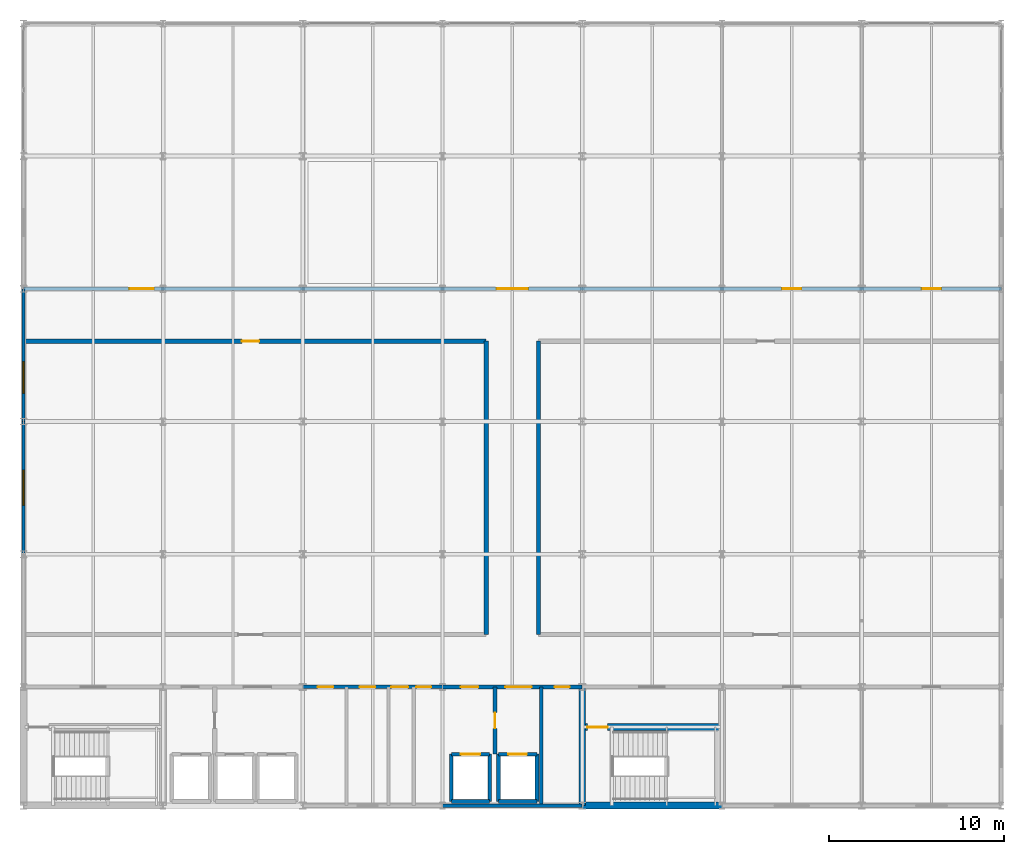
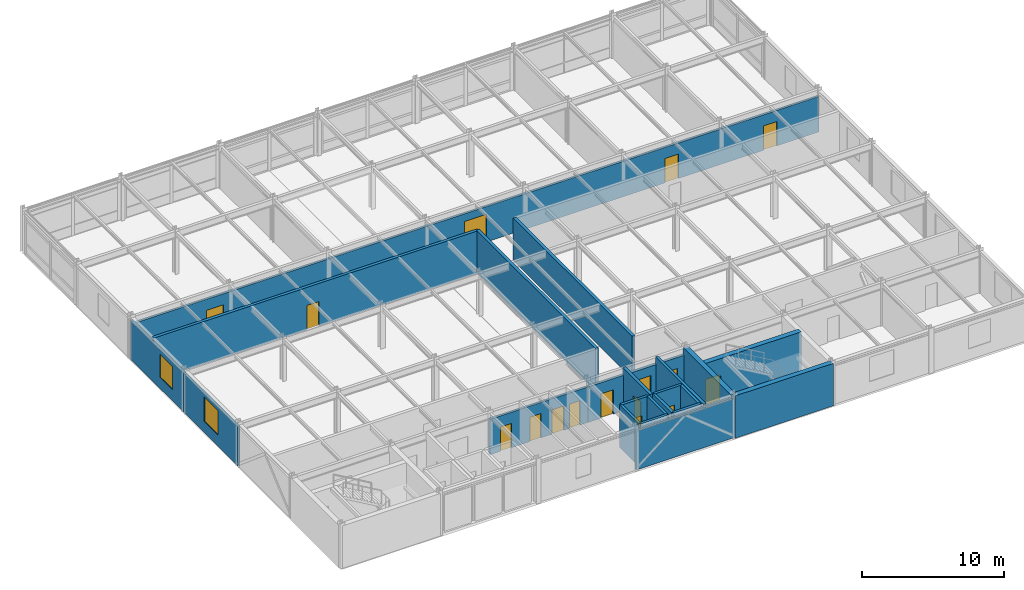
# One storey, part 12 of 14: 22 walls, 16 doors, 2 windows, 18 openings.
"""IFC4 building model written with IfcOpenShell, lengths in metres."""

import ifcopenshell
import ifcopenshell.guid

model = None  # the IFC model being written
_history = None  # IfcOwnerHistory: only IFC2X3 demands one
_inside = {}  # id of a spatial element -> (the spatial element, [elements in it])
_under = {}  # id of a project, library or spatial element -> (it, [spatial elements below it])
_declared = {}  # id of a project -> (the project, [libraries it declares])
_typed = {}  # id of a type object -> (the type object, [elements of that type])
_made_of = {}  # id of a material, layer set ... -> (it, [elements and type objects made of it])


def new_model(schema):
    """Start an empty IFC model of exactly this schema.

    Asked for "IFC4X3", IfcOpenShell would pick the latest addendum, in which some entities
    have other attributes; the version numbers below select the first issue.
    IFC2X3 requires an IfcOwnerHistory on every rooted entity: one is made here for all.
    """
    global model, _history
    if schema == "IFC4X3":
        model = ifcopenshell.file(schema_version=(4, 3, 0, 0))
    else:
        model = ifcopenshell.file(schema=schema)
    _inside.clear()
    _under.clear()
    _declared.clear()
    _typed.clear()
    _made_of.clear()
    _history = None
    if model.schema == "IFC2X3":
        org = make("IfcOrganization", Name="unknown")
        user = make(
            "IfcPersonAndOrganization",
            ThePerson=make("IfcPerson", FamilyName="unknown"),
            TheOrganization=org,
        )
        app = make(
            "IfcApplication",
            ApplicationDeveloper=org,
            Version="unknown",
            ApplicationFullName="unknown",
            ApplicationIdentifier="unknown",
        )
        _history = make(
            "IfcOwnerHistory",
            OwningUser=user,
            OwningApplication=app,
            ChangeAction="ADDED",
            CreationDate=0,
        )
    return model


def make(cls, **values):
    """One entity of the class cls with the attributes given. An attribute that is None is left unset."""
    return model.create_entity(
        cls, **{name: value for name, value in values.items() if value is not None}
    )


def rooted(cls, **values):
    """An entity with a GlobalId (a new one), such as an element, a storey or a relation."""
    return make(cls, GlobalId=ifcopenshell.guid.new(), OwnerHistory=_history, **values)


def si_unit(unit_type, name, prefix=None):
    """IfcSIUnit, for example si_unit("LENGTHUNIT", "METRE", prefix="MILLI")."""
    return make("IfcSIUnit", UnitType=unit_type, Prefix=prefix, Name=name)


def assignment(units):
    """IfcUnitAssignment: the units of a project."""
    return None if units is None else make("IfcUnitAssignment", Units=units)


def point(xyz):
    """IfcCartesianPoint."""
    return None if xyz is None else make("IfcCartesianPoint", Coordinates=xyz)


def direction(xyz):
    """IfcDirection."""
    return None if xyz is None else make("IfcDirection", DirectionRatios=xyz)


def frame(location, z_axis=None, x_axis=None):
    """IfcAxis2Placement3D, a coordinate frame: its origin and axes. An axis left out is left unset."""
    return make(
        "IfcAxis2Placement3D",
        Location=point(location),
        Axis=direction(z_axis),
        RefDirection=direction(x_axis),
    )


def frame_2d(location, x_axis=None):
    """IfcAxis2Placement2D, a coordinate frame in the plane: its origin and x axis."""
    return make(
        "IfcAxis2Placement2D", Location=point(location), RefDirection=direction(x_axis)
    )


def origin():
    """The frame at (0, 0, 0) with its axes left unset."""
    return frame((0.0, 0.0, 0.0))


def place(relative_to, where):
    """IfcLocalPlacement: puts the frame where relative to a parent placement (None: the world)."""
    return make(
        "IfcLocalPlacement", PlacementRelTo=relative_to, RelativePlacement=where
    )


def context(
    kind, dimensions, precision=None, world=None, true_north=None, identifier=None
):
    """IfcGeometricRepresentationContext, for example the 3D "Model" context."""
    return make(
        "IfcGeometricRepresentationContext",
        ContextIdentifier=identifier,
        ContextType=kind,
        CoordinateSpaceDimension=dimensions,
        Precision=precision,
        WorldCoordinateSystem=world,
        TrueNorth=true_north,
    )


def subcontext(parent, identifier, kind, view, scale=None):
    """IfcGeometricRepresentationSubContext, for example "Body" below "Model"."""
    return make(
        "IfcGeometricRepresentationSubContext",
        ContextIdentifier=identifier,
        ContextType=kind,
        ParentContext=parent,
        TargetScale=scale,
        TargetView=view,
    )


def project(units=None, contexts=None):
    """IfcProject with its units and contexts."""
    return rooted(
        "IfcProject",
        Name="project",
        RepresentationContexts=contexts,
        UnitsInContext=assignment(units),
    )


def spatial(cls, under=None, at=None, **own):
    """A site, building, storey or space (cls), placed at a placement, below another one or the project."""
    s = rooted(cls, ObjectPlacement=at, **own)
    if under is not None:
        _under.setdefault(under.id(), (under, []))[1].append(s)
    return s


def profile(cls, at=None, kind="AREA", **sizes):
    """A parametric profile (cls). Its sizes go by their IFC names, for example OverallWidth=200.0."""
    return make(cls, ProfileType=kind, Position=at, **sizes)


def rectangle(**sizes):
    """IfcRectangleProfileDef."""
    return profile("IfcRectangleProfileDef", **sizes)


def extrude(swept, where, along, depth):
    """IfcExtrudedAreaSolid: the profile swept, set in the frame where, extruded along a direction by depth."""
    return make(
        "IfcExtrudedAreaSolid",
        SweptArea=swept,
        Position=where,
        ExtrudedDirection=direction(along),
        Depth=depth,
    )


def shape(context_of_items, identifier, shape_type, items):
    """IfcShapeRepresentation: the items that make up one representation, for example the "Body"."""
    return make(
        "IfcShapeRepresentation",
        ContextOfItems=context_of_items,
        RepresentationIdentifier=identifier,
        RepresentationType=shape_type,
        Items=items,
    )


def material(Name=None, Category=None):
    """IfcMaterial."""
    return make("IfcMaterial", Name=Name, Category=Category)


def layer(
    of_material, thickness, ventilated=None, Name=None, Category=None, Priority=None
):
    """IfcMaterialLayer: one layer of a wall or slab, of a material (None: an air gap)."""
    return make(
        "IfcMaterialLayer",
        Material=of_material,
        LayerThickness=thickness,
        IsVentilated=ventilated,
        Name=Name,
        Category=Category,
        Priority=Priority,
    )


def layer_set(layers, Name=None):
    """IfcMaterialLayerSet."""
    return make("IfcMaterialLayerSet", MaterialLayers=layers, LayerSetName=Name)


def made_of(thing, what):
    """Note that an element or type object is made of a material, layer set ...; save() writes the relation."""
    if what is not None:
        _made_of.setdefault(what.id(), (what, []))[1].append(thing)
    return thing


def type_object(cls, material=None, **own):
    """A type object (cls), such as IfcWallType, which elements share."""
    return made_of(rooted(cls, **own), material)


def element(
    cls,
    number,
    at=None,
    inside=None,
    cuts=None,
    type_object=None,
    material=None,
    context=None,
    identifier="Body",
    shape_type=None,
    held_by="IfcProductDefinitionShape",
    body=None,
    shapes=None,
    **own,
):
    """One element of the class cls, such as IfcWall. Its Tag is "e" and its number.

    at: its placement. inside: the storey or other place that contains it. cuts: it is an
    opening in that element (IfcRelVoidsElement). A single representation is given by context,
    identifier, shape_type and body (its items); several are given by shapes. held_by: the class
    of the entity that holds the representations. save() writes the other relations.
    """
    e = rooted(cls, Tag="e%d" % number, ObjectPlacement=at, **own)
    if body is not None:
        shapes = [shape(context, identifier, shape_type, body)]
    if shapes is not None:
        e.Representation = make(held_by, Representations=shapes)
    if inside is not None:
        _inside.setdefault(inside.id(), (inside, []))[1].append(e)
    if cuts is not None:
        rooted(
            "IfcRelVoidsElement", RelatingBuildingElement=cuts, RelatedOpeningElement=e
        )
    if type_object is not None:
        _typed.setdefault(type_object.id(), (type_object, []))[1].append(e)
    return made_of(e, material)


def fill(opening, filler):
    """IfcRelFillsElement: the door or window that sits in an opening."""
    return rooted(
        "IfcRelFillsElement",
        RelatingOpeningElement=opening,
        RelatedBuildingElement=filler,
    )


def aggregate(whole, parts):
    """IfcRelAggregates: a whole, such as a stair, and the parts it consists of."""
    return rooted("IfcRelAggregates", RelatingObject=whole, RelatedObjects=parts)


def save(model, path):
    """Write the relations noted so far, then the file.

    IfcRelAggregates (storeys below a building ...), IfcRelContainedInSpatialStructure (elements
    in a storey), IfcRelDefinesByType, IfcRelAssociatesMaterial and IfcRelDeclares: one each for
    every whole, place, type object, material and project.
    """
    for whole, parts in _under.values():
        aggregate(whole, parts)
    for where, things in _inside.values():
        rooted(
            "IfcRelContainedInSpatialStructure",
            RelatedElements=things,
            RelatingStructure=where,
        )
    for kind, things in _typed.values():
        rooted("IfcRelDefinesByType", RelatedObjects=things, RelatingType=kind)
    for what, things in _made_of.values():
        rooted("IfcRelAssociatesMaterial", RelatedObjects=things, RelatingMaterial=what)
    for by, libraries in _declared.values():
        rooted("IfcRelDeclares", RelatingContext=by, RelatedDefinitions=libraries)
    model.write(path)


model = new_model("IFC4")

# Units and contexts
model_context = context("Model", 3, precision=1e-05, world=origin(), true_north=direction((0.0, 1.0)))
body_context = subcontext(model_context, "Body", "Model", "MODEL_VIEW")
ifc_project = project(units=[si_unit("LENGTHUNIT", "METRE"), si_unit("AREAUNIT", "SQUARE_METRE"), si_unit("VOLUMEUNIT", "CUBIC_METRE"), si_unit("PLANEANGLEUNIT", "RADIAN"), si_unit("MASSUNIT", "GRAM", prefix="KILO")], contexts=[model_context])

# Site, building, storey
site_placement = place(None, origin())
site = spatial("IfcSite", under=ifc_project, at=site_placement, CompositionType="ELEMENT")
building_placement = place(site_placement, origin())
building = spatial("IfcBuilding", under=site, at=building_placement, Name="Shalkamar Park Central Library", CompositionType="ELEMENT")
storey_placement = place(building_placement, frame((0.0, 0.0, 28.199951171875)))
storey = spatial("IfcBuildingStorey", under=building, at=storey_placement, Name="L07", CompositionType="ELEMENT", Elevation=28.199951171875)

# Wall, opening, door
ifc_material_1 = material(Name="Reinforced fire-compartment masonry wall", Category="masonry")
ifc_layer_1 = layer(ifc_material_1, 0.239990234375)
ifc_layer_set_1 = layer_set([ifc_layer_1], Name="CompartmentWall_240")
wall_type_1 = type_object("IfcWallType", Name="Compartment Wall 240", PredefinedType="PARTITIONING", material=ifc_layer_set_1)
wall_1_placement = place(storey_placement, frame((192.0, 251.35009765625, 0.0), z_axis=(0.0, 0.0, 1.0), x_axis=(0.0, 1.0, 0.0)))
wall_1 = element("IfcWall", 1, at=wall_1_placement, inside=storey, type_object=wall_type_1, Name="Interior Partition WL-INT-L07-002", PredefinedType="PARTITIONING", context=body_context, shape_type="SweptSolid", body=[
    extrude(rectangle(XDim=3.849853515625, YDim=0.239990234375, at=frame_2d((1.9248046875, 0.0))), origin(), (0.0, 0.0, 1.0), 3.66015625),
])
opening_1_placement = place(wall_1_placement, frame((1.47509765625, 0.0, 0.0)))
opening_1 = element("IfcOpeningElement", 2, at=opening_1_placement, cuts=wall_1, Name="Opening DR-L07-002", PredefinedType="OPENING", context=body_context, shape_type="SweptSolid", body=[
    extrude(rectangle(XDim=0.89990234375, YDim=2.10009765625, at=frame_2d((0.449951171875, 1.050048828125))), frame((0.0, 0.134765625, 0.0), z_axis=(0.0, -1.0, 0.0), x_axis=(1.0, 0.0, 0.0)), (0.0, 0.0, 1.0), 0.269775390625),
])
ifc_material_2 = material(Name="Steel S355", Category="steel")
door_type_1 = type_object("IfcDoorType", Name="Fire Door Single 900x2100", OperationType="NOTDEFINED", PredefinedType="DOOR", material=ifc_material_2)
door_1_placement = place(opening_1_placement, frame((0.89990234375, 0.0, 0.0), z_axis=(0.0, 0.0, 1.0), x_axis=(-1.0, 0.0, 0.0)))
door_1 = element("IfcDoor", 3, at=door_1_placement, inside=storey, type_object=door_type_1, Name="Fire Lobby Interconnect Door", OperationType="SINGLE_SWING_LEFT", OverallHeight=2.10009765625, OverallWidth=0.89990234375, PredefinedType="DOOR", context=body_context, shape_type="SweptSolid", body=[
    extrude(rectangle(XDim=0.89990234375, YDim=2.10009765625, at=frame_2d((0.449951171875, 1.050048828125))), frame((0.0, 0.02490234375, 0.0), z_axis=(0.0, -1.0, 0.0), x_axis=(1.0, 0.0, 0.0)), (0.0, 0.0, 1.0), 0.050048828125),
])
fill(opening_1, door_1)

# Wall, openings, doors
wall_2_placement = place(storey_placement, frame((189.0, 255.199951171875, 0.0), z_axis=(0.0, 0.0, 1.0), x_axis=(1.0, 0.0, 0.0)))
wall_2 = element("IfcWall", 4, at=wall_2_placement, inside=storey, type_object=wall_type_1, Name="Interior Partition WL-INT-L07-009", PredefinedType="PARTITIONING", context=body_context, shape_type="SweptSolid", body=[
    extrude(rectangle(XDim=8.0, YDim=0.239990234375, at=frame_2d((4.0, 0.0))), origin(), (0.0, 0.0, 1.0), 3.05810546875),
])
opening_2_placement = place(wall_2_placement, frame((1.050048828125, 0.0, 0.0)))
opening_2 = element("IfcOpeningElement", 5, at=opening_2_placement, cuts=wall_2, Name="Opening DR-L07-009", PredefinedType="OPENING", context=body_context, shape_type="SweptSolid", body=[
    extrude(rectangle(XDim=1.0, YDim=2.10009765625, at=frame_2d((0.5, 1.050048828125))), frame((0.0, 0.134765625, 0.0), z_axis=(0.0, -1.0, 0.0), x_axis=(1.0, 0.0, 0.0)), (0.0, 0.0, 1.0), 0.269775390625),
])
opening_3_placement = place(wall_2_placement, frame((3.60009765625, 0.0, 0.0)))
opening_3 = element("IfcOpeningElement", 6, at=opening_3_placement, cuts=wall_2, Name="Opening DR-L07-010", PredefinedType="OPENING", context=body_context, shape_type="SweptSolid", body=[
    extrude(rectangle(XDim=1.5, YDim=2.25, at=frame_2d((0.75, 1.125))), frame((0.0, 0.134765625, 0.0), z_axis=(0.0, -1.0, 0.0), x_axis=(1.0, 0.0, 0.0)), (0.0, 0.0, 1.0), 0.269775390625),
])
opening_4_placement = place(wall_2_placement, frame((6.425048828125, 0.0, 0.0)))
opening_4 = element("IfcOpeningElement", 7, at=opening_4_placement, cuts=wall_2, Name="Opening DR-L07-011", PredefinedType="OPENING", context=body_context, shape_type="SweptSolid", body=[
    extrude(rectangle(XDim=0.85009765625, YDim=2.10009765625, at=frame_2d((0.425048828125, 1.050048828125))), frame((0.0, 0.134765625, 0.0), z_axis=(0.0, -1.0, 0.0), x_axis=(1.0, 0.0, 0.0)), (0.0, 0.0, 1.0), 0.269775390625),
])
door_type_2 = type_object("IfcDoorType", Name="Fire Door Riser 850x2100", OperationType="NOTDEFINED", PredefinedType="DOOR", material=ifc_material_2)
door_2_placement = place(opening_4_placement, frame((0.85009765625, 0.0, 0.0), z_axis=(0.0, 0.0, 1.0), x_axis=(-1.0, 0.0, 0.0)))
door_2 = element("IfcDoor", 8, at=door_2_placement, inside=storey, type_object=door_type_2, Name="Mechanical Riser Access Door", OperationType="SINGLE_SWING_LEFT", OverallHeight=2.10009765625, OverallWidth=0.85009765625, PredefinedType="DOOR", context=body_context, shape_type="SweptSolid", body=[
    extrude(rectangle(XDim=0.85009765625, YDim=2.10009765625, at=frame_2d((0.425048828125, 1.050048828125))), frame((0.0, 0.02490234375, 0.0), z_axis=(0.0, -1.0, 0.0), x_axis=(1.0, 0.0, 0.0)), (0.0, 0.0, 1.0), 0.050048828125),
])
fill(opening_4, door_2)
door_type_3 = type_object("IfcDoorType", Name="Fire Door Single 1000x2100", OperationType="NOTDEFINED", PredefinedType="DOOR", material=ifc_material_2)
door_3_placement = place(opening_2_placement, origin())
door_3 = element("IfcDoor", 9, at=door_3_placement, inside=storey, type_object=door_type_3, Name="East Firefighting Lobby Door", OperationType="SINGLE_SWING_LEFT", OverallHeight=2.10009765625, OverallWidth=1.0, PredefinedType="DOOR", context=body_context, shape_type="SweptSolid", body=[
    extrude(rectangle(XDim=1.0, YDim=2.10009765625, at=frame_2d((0.5, 1.050048828125))), frame((0.0, 0.02490234375, 0.0), z_axis=(0.0, -1.0, 0.0), x_axis=(1.0, 0.0, 0.0)), (0.0, 0.0, 1.0), 0.050048828125),
])
fill(opening_2, door_3)
door_type_4 = type_object("IfcDoorType", Name="Interior Door Double 1500x2250", OperationType="DOUBLE_DOOR_SINGLE_SWING", PredefinedType="DOOR", material=ifc_material_2)
door_4_placement = place(opening_3_placement, origin())
door_4 = element("IfcDoor", 10, at=door_4_placement, inside=storey, type_object=door_type_4, Name="East Lift Lobby Entrance", OperationType="DOUBLE_DOOR_SINGLE_SWING", OverallHeight=2.25, OverallWidth=1.5, PredefinedType="DOOR", context=body_context, shape_type="SweptSolid", body=[
    extrude(rectangle(XDim=1.5, YDim=2.25, at=frame_2d((0.75, 1.125))), frame((0.0, 0.02490234375, 0.0), z_axis=(0.0, -1.0, 0.0), x_axis=(1.0, 0.0, 0.0)), (0.0, 0.0, 1.0), 0.050048828125),
])
fill(opening_3, door_4)

# Walls
for number, where, z_axis, x_axis, name in (
    (11, (191.5, 258.199951171875, 0.0), (0.0, 0.0, 1.0), (0.0, 1.0, 0.0), "Interior Partition WL-INT-L07-014"),
    (12, (194.5, 258.199951171875, 0.0), (0.0, 0.0, 1.0), (0.0, 1.0, 0.0), "Interior Partition WL-INT-L07-015"),
):
    element("IfcWall", number, at=place(storey_placement, frame(where, z_axis=z_axis, x_axis=x_axis)), inside=storey, type_object=wall_type_1, Name=name, PredefinedType="PARTITIONING", context=body_context, shape_type="SweptSolid", body=[
        extrude(rectangle(XDim=16.800048828125, YDim=0.239990234375, at=frame_2d((8.39990234375, 0.0))), origin(), (0.0, 0.0, 1.0), 3.66015625),
    ])

# Wall, opening, door
wall_3_placement = place(storey_placement, frame((165.0, 275.0, 0.0), z_axis=(0.0, 0.0, 1.0), x_axis=(1.0, 0.0, 0.0)))
wall_3 = element("IfcWall", 13, at=wall_3_placement, inside=storey, type_object=wall_type_1, Name="Interior Partition WL-INT-L07-016", PredefinedType="PARTITIONING", context=body_context, shape_type="SweptSolid", body=[
    extrude(rectangle(XDim=26.5, YDim=0.239990234375, at=frame_2d((13.25, 0.0))), origin(), (0.0, 0.0, 1.0), 3.66015625),
])
opening_5_placement = place(wall_3_placement, frame((12.5, 0.0, 0.0)))
opening_5 = element("IfcOpeningElement", 14, at=opening_5_placement, cuts=wall_3, Name="Opening DR-L07-016", PredefinedType="OPENING", context=body_context, shape_type="SweptSolid", body=[
    extrude(rectangle(XDim=1.0, YDim=2.10009765625, at=frame_2d((0.5, 1.050048828125))), frame((0.0, 0.134765625, 0.0), z_axis=(0.0, -1.0, 0.0), x_axis=(1.0, 0.0, 0.0)), (0.0, 0.0, 1.0), 0.269775390625),
])
door_5_placement = place(opening_5_placement, frame((1.0, 0.0, 0.0), z_axis=(0.0, 0.0, 1.0), x_axis=(-1.0, 0.0, 0.0)))
door_5 = element("IfcDoor", 15, at=door_5_placement, inside=storey, type_object=door_type_3, Name="L07 SW Closed Stacks North Door", OperationType="SINGLE_SWING_RIGHT", OverallHeight=2.10009765625, OverallWidth=1.0, PredefinedType="DOOR", context=body_context, shape_type="SweptSolid", body=[
    extrude(rectangle(XDim=1.0, YDim=2.10009765625, at=frame_2d((0.5, 1.050048828125))), frame((0.0, 0.02490234375, 0.0), z_axis=(0.0, -1.0, 0.0), x_axis=(1.0, 0.0, 0.0)), (0.0, 0.0, 1.0), 0.050048828125),
])
fill(opening_5, door_5)

# Wall, openings, doors
ifc_material_3 = material(Name="Fire-rated corridor partition wall", Category="masonry")
ifc_layer_2 = layer(ifc_material_3, 0.199951171875)
ifc_layer_set_2 = layer_set([ifc_layer_2], Name="CorridorFireWall_200")
wall_type_2 = type_object("IfcWallType", Name="Corridor Fire Wall 200", PredefinedType="PARTITIONING", material=ifc_layer_set_2)
wall_4_placement = place(storey_placement, frame((181.0, 255.199951171875, 0.0), z_axis=(0.0, 0.0, 1.0), x_axis=(1.0, 0.0, 0.0)))
wall_4 = element("IfcWall", 16, at=wall_4_placement, inside=storey, type_object=wall_type_2, Name="Interior Partition WL-INT-L07-008", PredefinedType="PARTITIONING", context=body_context, shape_type="SweptSolid", body=[
    extrude(rectangle(XDim=8.0, YDim=0.199951171875, at=frame_2d((4.0, 0.0))), origin(), (0.0, 0.0, 1.0), 3.05810546875),
])
opening_6_placement = place(wall_4_placement, frame((0.85009765625, 0.0, 0.0)))
opening_6 = element("IfcOpeningElement", 17, at=opening_6_placement, cuts=wall_4, Name="Opening DR-L07-005", PredefinedType="OPENING", context=body_context, shape_type="SweptSolid", body=[
    extrude(rectangle(XDim=0.89990234375, YDim=2.10009765625, at=frame_2d((0.449951171875, 1.050048828125))), frame((0.0, 0.11474609375, 0.0), z_axis=(0.0, -1.0, 0.0), x_axis=(1.0, 0.0, 0.0)), (0.0, 0.0, 1.0), 0.229736328125),
])
opening_7_placement = place(wall_4_placement, frame((3.25, 0.0, 0.0)))
opening_7 = element("IfcOpeningElement", 18, at=opening_7_placement, cuts=wall_4, Name="Opening DR-L07-006", PredefinedType="OPENING", context=body_context, shape_type="SweptSolid", body=[
    extrude(rectangle(XDim=0.89990234375, YDim=2.10009765625, at=frame_2d((0.449951171875, 1.050048828125))), frame((0.0, 0.11474609375, 0.0), z_axis=(0.0, -1.0, 0.0), x_axis=(1.0, 0.0, 0.0)), (0.0, 0.0, 1.0), 0.229736328125),
])
opening_8_placement = place(wall_4_placement, frame((5.074951171875, 0.0, 0.0)))
opening_8 = element("IfcOpeningElement", 19, at=opening_8_placement, cuts=wall_4, Name="Opening DR-L07-007", PredefinedType="OPENING", context=body_context, shape_type="SweptSolid", body=[
    extrude(rectangle(XDim=0.949951171875, YDim=2.10009765625, at=frame_2d((0.47509765625, 1.050048828125))), frame((0.0, 0.11474609375, 0.0), z_axis=(0.0, -1.0, 0.0), x_axis=(1.0, 0.0, 0.0)), (0.0, 0.0, 1.0), 0.229736328125),
])
opening_9_placement = place(wall_4_placement, frame((6.5, 0.0, 0.0)))
opening_9 = element("IfcOpeningElement", 20, at=opening_9_placement, cuts=wall_4, Name="Opening DR-L07-008", PredefinedType="OPENING", context=body_context, shape_type="SweptSolid", body=[
    extrude(rectangle(XDim=0.85009765625, YDim=2.10009765625, at=frame_2d((0.425048828125, 1.050048828125))), frame((0.0, 0.11474609375, 0.0), z_axis=(0.0, -1.0, 0.0), x_axis=(1.0, 0.0, 0.0)), (0.0, 0.0, 1.0), 0.229736328125),
])
door_6_placement = place(opening_9_placement, frame((0.85009765625, 0.0, 0.0), z_axis=(0.0, 0.0, 1.0), x_axis=(-1.0, 0.0, 0.0)))
door_6 = element("IfcDoor", 21, at=door_6_placement, inside=storey, type_object=door_type_2, Name="Electrical Riser Access Door", OperationType="SINGLE_SWING_LEFT", OverallHeight=2.10009765625, OverallWidth=0.85009765625, PredefinedType="DOOR", context=body_context, shape_type="SweptSolid", body=[
    extrude(rectangle(XDim=0.85009765625, YDim=2.10009765625, at=frame_2d((0.425048828125, 1.050048828125))), frame((0.0, 0.02490234375, 0.0), z_axis=(0.0, -1.0, 0.0), x_axis=(1.0, 0.0, 0.0)), (0.0, 0.0, 1.0), 0.050048828125),
])
fill(opening_9, door_6)
door_type_5 = type_object("IfcDoorType", Name="Interior Door Single 900x2100", OperationType="NOTDEFINED", PredefinedType="DOOR", material=ifc_material_2)
door_7_placement = place(opening_6_placement, frame((0.89990234375, 0.0, 0.0), z_axis=(0.0, 0.0, 1.0), x_axis=(-1.0, 0.0, 0.0)))
door_7 = element("IfcDoor", 22, at=door_7_placement, inside=storey, type_object=door_type_5, Name="Male WC Door", OperationType="SINGLE_SWING_RIGHT", OverallHeight=2.10009765625, OverallWidth=0.89990234375, PredefinedType="DOOR", context=body_context, shape_type="SweptSolid", body=[
    extrude(rectangle(XDim=0.89990234375, YDim=2.10009765625, at=frame_2d((0.449951171875, 1.050048828125))), frame((0.0, 0.02490234375, 0.0), z_axis=(0.0, -1.0, 0.0), x_axis=(1.0, 0.0, 0.0)), (0.0, 0.0, 1.0), 0.050048828125),
])
fill(opening_6, door_7)
door_8_placement = place(opening_7_placement, frame((0.89990234375, 0.0, 0.0), z_axis=(0.0, 0.0, 1.0), x_axis=(-1.0, 0.0, 0.0)))
door_8 = element("IfcDoor", 23, at=door_8_placement, inside=storey, type_object=door_type_5, Name="Female WC Door", OperationType="SINGLE_SWING_RIGHT", OverallHeight=2.10009765625, OverallWidth=0.89990234375, PredefinedType="DOOR", context=body_context, shape_type="SweptSolid", body=[
    extrude(rectangle(XDim=0.89990234375, YDim=2.10009765625, at=frame_2d((0.449951171875, 1.050048828125))), frame((0.0, 0.02490234375, 0.0), z_axis=(0.0, -1.0, 0.0), x_axis=(1.0, 0.0, 0.0)), (0.0, 0.0, 1.0), 0.050048828125),
])
fill(opening_7, door_8)
door_type_6 = type_object("IfcDoorType", Name="Interior Door Single 950x2100", OperationType="NOTDEFINED", PredefinedType="DOOR", material=ifc_material_2)
door_9_placement = place(opening_8_placement, frame((0.949951171875, 0.0, 0.0), z_axis=(0.0, 0.0, 1.0), x_axis=(-1.0, 0.0, 0.0)))
door_9 = element("IfcDoor", 24, at=door_9_placement, inside=storey, type_object=door_type_6, Name="Universal Accessible WC Door", OperationType="SINGLE_SWING_LEFT", OverallHeight=2.10009765625, OverallWidth=0.949951171875, PredefinedType="DOOR", context=body_context, shape_type="SweptSolid", body=[
    extrude(rectangle(XDim=0.949951171875, YDim=2.10009765625, at=frame_2d((0.47509765625, 1.050048828125))), frame((0.0, 0.02490234375, 0.0), z_axis=(0.0, -1.0, 0.0), x_axis=(1.0, 0.0, 0.0)), (0.0, 0.0, 1.0), 0.050048828125),
])
fill(opening_8, door_9)

wall_5_placement = place(storey_placement, frame((165.0, 278.0, 0.0), z_axis=(0.0, 0.0, 1.0), x_axis=(1.0, 0.0, 0.0)))
wall_5 = element("IfcWall", 25, at=wall_5_placement, inside=storey, type_object=wall_type_2, Name="Interior Partition WL-INT-L07-018", PredefinedType="PARTITIONING", context=body_context, shape_type="SweptSolid", body=[
    extrude(rectangle(XDim=56.0, YDim=0.199951171875, at=frame_2d((28.0, 0.0))), origin(), (0.0, 0.0, 1.0), 3.05810546875),
])
opening_10_placement = place(wall_5_placement, frame((6.06005859375, 0.0, 0.0)))
opening_10 = element("IfcOpeningElement", 26, at=opening_10_placement, cuts=wall_5, Name="Opening DR-L07-018", PredefinedType="OPENING", context=body_context, shape_type="SweptSolid", body=[
    extrude(rectangle(XDim=1.39990234375, YDim=2.10009765625, at=frame_2d((0.699951171875, 1.050048828125))), frame((0.0, 0.11474609375, 0.0), z_axis=(0.0, -1.0, 0.0), x_axis=(1.0, 0.0, 0.0)), (0.0, 0.0, 1.0), 0.229736328125),
])
opening_11_placement = place(wall_5_placement, frame((27.10009765625, 0.0, 0.0)))
opening_11 = element("IfcOpeningElement", 27, at=opening_11_placement, cuts=wall_5, Name="Opening DR-L07-019", PredefinedType="OPENING", context=body_context, shape_type="SweptSolid", body=[
    extrude(rectangle(XDim=1.800048828125, YDim=2.39990234375, at=frame_2d((0.89990234375, 1.199951171875))), frame((0.0, 0.11474609375, 0.0), z_axis=(0.0, -1.0, 0.0), x_axis=(1.0, 0.0, 0.0)), (0.0, 0.0, 1.0), 0.229736328125),
])
opening_12_placement = place(wall_5_placement, frame((43.449951171875, 0.0, 0.0)))
opening_12 = element("IfcOpeningElement", 28, at=opening_12_placement, cuts=wall_5, Name="Opening DR-L07-020", PredefinedType="OPENING", context=body_context, shape_type="SweptSolid", body=[
    extrude(rectangle(XDim=1.10009765625, YDim=2.10009765625, at=frame_2d((0.550048828125, 1.050048828125))), frame((0.0, 0.11474609375, 0.0), z_axis=(0.0, -1.0, 0.0), x_axis=(1.0, 0.0, 0.0)), (0.0, 0.0, 1.0), 0.229736328125),
])
opening_13_placement = place(wall_5_placement, frame((51.449951171875, 0.0, 0.0)))
opening_13 = element("IfcOpeningElement", 29, at=opening_13_placement, cuts=wall_5, Name="Opening DR-L07-021", PredefinedType="OPENING", context=body_context, shape_type="SweptSolid", body=[
    extrude(rectangle(XDim=1.10009765625, YDim=2.10009765625, at=frame_2d((0.550048828125, 1.050048828125))), frame((0.0, 0.11474609375, 0.0), z_axis=(0.0, -1.0, 0.0), x_axis=(1.0, 0.0, 0.0)), (0.0, 0.0, 1.0), 0.229736328125),
])
door_type_7 = type_object("IfcDoorType", Name="Fire Door Double 1400x2100", OperationType="DOUBLE_DOOR_SINGLE_SWING", PredefinedType="DOOR", material=ifc_material_2)
door_10_placement = place(opening_10_placement, origin())
door_10 = element("IfcDoor", 30, at=door_10_placement, inside=storey, type_object=door_type_7, Name="L07 NW Closed Stacks Door", OperationType="DOUBLE_DOOR_SINGLE_SWING", OverallHeight=2.10009765625, OverallWidth=1.39990234375, PredefinedType="DOOR", context=body_context, shape_type="SweptSolid", body=[
    extrude(rectangle(XDim=1.39990234375, YDim=2.10009765625, at=frame_2d((0.699951171875, 1.050048828125))), frame((0.0, 0.02490234375, 0.0), z_axis=(0.0, -1.0, 0.0), x_axis=(1.0, 0.0, 0.0)), (0.0, 0.0, 1.0), 0.050048828125),
])
fill(opening_10, door_10)
door_type_8 = type_object("IfcDoorType", Name="Interior Door Double 1800x2400", OperationType="DOUBLE_DOOR_SINGLE_SWING", PredefinedType="DOOR", material=ifc_material_2)
door_11_placement = place(opening_11_placement, origin())
door_11 = element("IfcDoor", 31, at=door_11_placement, inside=storey, type_object=door_type_8, Name="L07 Researcher Reading Room Door", OperationType="DOUBLE_DOOR_SINGLE_SWING", OverallHeight=2.39990234375, OverallWidth=1.800048828125, PredefinedType="DOOR", context=body_context, shape_type="SweptSolid", body=[
    extrude(rectangle(XDim=1.800048828125, YDim=2.39990234375, at=frame_2d((0.89990234375, 1.199951171875))), frame((0.0, 0.02490234375, 0.0), z_axis=(0.0, -1.0, 0.0), x_axis=(1.0, 0.0, 0.0)), (0.0, 0.0, 1.0), 0.050048828125),
])
fill(opening_11, door_11)
door_type_9 = type_object("IfcDoorType", Name="Interior Door Single 1100x2100", OperationType="NOTDEFINED", PredefinedType="DOOR", material=ifc_material_2)
door_12_placement = place(opening_12_placement, origin())
door_12 = element("IfcDoor", 32, at=door_12_placement, inside=storey, type_object=door_type_9, Name="L07 Seminar Suite A Door", OperationType="SINGLE_SWING_RIGHT", OverallHeight=2.10009765625, OverallWidth=1.10009765625, PredefinedType="DOOR", context=body_context, shape_type="SweptSolid", body=[
    extrude(rectangle(XDim=1.10009765625, YDim=2.10009765625, at=frame_2d((0.550048828125, 1.050048828125))), frame((0.0, 0.02490234375, 0.0), z_axis=(0.0, -1.0, 0.0), x_axis=(1.0, 0.0, 0.0)), (0.0, 0.0, 1.0), 0.050048828125),
])
fill(opening_12, door_12)
door_13_placement = place(opening_13_placement, origin())
door_13 = element("IfcDoor", 33, at=door_13_placement, inside=storey, type_object=door_type_9, Name="L07 Seminar Suite B Door", OperationType="SINGLE_SWING_RIGHT", OverallHeight=2.10009765625, OverallWidth=1.10009765625, PredefinedType="DOOR", context=body_context, shape_type="SweptSolid", body=[
    extrude(rectangle(XDim=1.10009765625, YDim=2.10009765625, at=frame_2d((0.550048828125, 1.050048828125))), frame((0.0, 0.02490234375, 0.0), z_axis=(0.0, -1.0, 0.0), x_axis=(1.0, 0.0, 0.0)), (0.0, 0.0, 1.0), 0.050048828125),
])
fill(opening_13, door_13)

# Walls
ifc_material_4 = material(Name="Concrete C40/50", Category="concrete")
ifc_layer_3 = layer(ifc_material_4, 0.219970703125)
ifc_layer_set_3 = layer_set([ifc_layer_3], Name="Concrete C40/50")
wall_type_3 = type_object("IfcWallType", Name="Lift Hoistway Shear Wall 220", PredefinedType="SHEAR", material=ifc_layer_set_3)
wall_6_placement = place(storey_placement, frame((189.5, 248.64990234375, 0.0), z_axis=(0.0, 0.0, 1.0), x_axis=(1.0, 0.0, 0.0)))
element("IfcWall", 34, at=wall_6_placement, inside=storey, type_object=wall_type_3, Name="Lift FFL-02 Hoistway South Wall (L07)", PredefinedType="SHEAR", context=body_context, shape_type="SweptSolid", body=[
    extrude(rectangle(XDim=2.199951171875, YDim=0.219970703125, at=frame_2d((1.10009765625, 0.0))), origin(), (0.0, 0.0, 1.0), 3.66015625),
])
for number, where, z_axis, x_axis, name in (
    (35, (189.5, 248.64990234375, 0.0), (0.0, 0.0, 1.0), (0.0, 1.0, 0.0), "Lift FFL-02 Hoistway West Wall (L07)"),
    (36, (191.699951171875, 248.64990234375, 0.0), (0.0, 0.0, 1.0), (0.0, 1.0, 0.0), "Lift FFL-02 Hoistway East Wall (L07)"),
):
    element("IfcWall", number, at=place(storey_placement, frame(where, z_axis=z_axis, x_axis=x_axis)), inside=storey, type_object=wall_type_3, Name=name, PredefinedType="SHEAR", context=body_context, shape_type="SweptSolid", body=[
        extrude(rectangle(XDim=2.7001953125, YDim=0.219970703125, at=frame_2d((1.35009765625, 0.0))), origin(), (0.0, 0.0, 1.0), 3.66015625),
    ])

# Wall, opening, door
wall_7_placement = place(storey_placement, frame((189.5, 251.35009765625, 0.0), z_axis=(0.0, 0.0, 1.0), x_axis=(1.0, 0.0, 0.0)))
wall_7 = element("IfcWall", 37, at=wall_7_placement, inside=storey, type_object=wall_type_3, Name="Lift FFL-02 Hoistway Front Wall (L07)", PredefinedType="SHEAR", context=body_context, shape_type="SweptSolid", body=[
    extrude(rectangle(XDim=2.199951171875, YDim=0.219970703125, at=frame_2d((1.10009765625, 0.0))), origin(), (0.0, 0.0, 1.0), 3.66015625),
])
opening_14_placement = place(wall_7_placement, frame((0.550048828125, 0.0, 0.0)))
opening_14 = element("IfcOpeningElement", 38, at=opening_14_placement, cuts=wall_7, Name="Opening LD-FFL-02-L07", PredefinedType="OPENING", context=body_context, shape_type="SweptSolid", body=[
    extrude(rectangle(XDim=1.10009765625, YDim=2.14990234375, at=frame_2d((0.550048828125, 1.074951171875))), frame((0.0, 0.125, 0.0), z_axis=(0.0, -1.0, 0.0), x_axis=(1.0, 0.0, 0.0)), (0.0, 0.0, 1.0), 0.249755859375),
])
door_type_10 = type_object("IfcDoorType", Name="Fire Lift Landing Door 1100x2150", OperationType="DOUBLE_DOOR_SLIDING", PredefinedType="USERDEFINED", material=ifc_material_2)
door_14_placement = place(opening_14_placement, origin())
door_14 = element("IfcDoor", 39, at=door_14_placement, inside=storey, type_object=door_type_10, Name="Lift FFL-02 Sliding Landing Door (L07)", ObjectType="SLIDING LANDING DOOR", OperationType="DOUBLE_DOOR_SLIDING", OverallHeight=2.14990234375, OverallWidth=1.10009765625, PredefinedType="USERDEFINED", context=body_context, shape_type="SweptSolid", body=[
    extrude(rectangle(XDim=1.10009765625, YDim=2.14990234375, at=frame_2d((0.550048828125, 1.074951171875))), frame((0.0, 0.02490234375, 0.0), z_axis=(0.0, -1.0, 0.0), x_axis=(1.0, 0.0, 0.0)), (0.0, 0.0, 1.0), 0.050048828125),
])
fill(opening_14, door_14)

# Walls
wall_8_placement = place(storey_placement, frame((192.199951171875, 248.64990234375, 0.0), z_axis=(0.0, 0.0, 1.0), x_axis=(1.0, 0.0, 0.0)))
element("IfcWall", 40, at=wall_8_placement, inside=storey, type_object=wall_type_3, Name="Lift LT-03 Hoistway South Wall (L07)", PredefinedType="SHEAR", context=body_context, shape_type="SweptSolid", body=[
    extrude(rectangle(XDim=2.199951171875, YDim=0.219970703125, at=frame_2d((1.10009765625, 0.0))), origin(), (0.0, 0.0, 1.0), 3.66015625),
])
for number, where, z_axis, x_axis, name in (
    (41, (192.199951171875, 248.64990234375, 0.0), (0.0, 0.0, 1.0), (0.0, 1.0, 0.0), "Lift LT-03 Hoistway West Wall (L07)"),
    (42, (194.39990234375, 248.64990234375, 0.0), (0.0, 0.0, 1.0), (0.0, 1.0, 0.0), "Lift LT-03 Hoistway East Wall (L07)"),
):
    element("IfcWall", number, at=place(storey_placement, frame(where, z_axis=z_axis, x_axis=x_axis)), inside=storey, type_object=wall_type_3, Name=name, PredefinedType="SHEAR", context=body_context, shape_type="SweptSolid", body=[
        extrude(rectangle(XDim=2.7001953125, YDim=0.219970703125, at=frame_2d((1.35009765625, 0.0))), origin(), (0.0, 0.0, 1.0), 3.66015625),
    ])

# Wall, opening, door
wall_9_placement = place(storey_placement, frame((192.199951171875, 251.35009765625, 0.0), z_axis=(0.0, 0.0, 1.0), x_axis=(1.0, 0.0, 0.0)))
wall_9 = element("IfcWall", 43, at=wall_9_placement, inside=storey, type_object=wall_type_3, Name="Lift LT-03 Hoistway Front Wall (L07)", PredefinedType="SHEAR", context=body_context, shape_type="SweptSolid", body=[
    extrude(rectangle(XDim=2.199951171875, YDim=0.219970703125, at=frame_2d((1.10009765625, 0.0))), origin(), (0.0, 0.0, 1.0), 3.66015625),
])
opening_15_placement = place(wall_9_placement, frame((0.574951171875, 0.0, 0.0)))
opening_15 = element("IfcOpeningElement", 44, at=opening_15_placement, cuts=wall_9, Name="Opening LD-LT-03-L07", PredefinedType="OPENING", context=body_context, shape_type="SweptSolid", body=[
    extrude(rectangle(XDim=1.050048828125, YDim=2.14990234375, at=frame_2d((0.52490234375, 1.074951171875))), frame((0.0, 0.125, 0.0), z_axis=(0.0, -1.0, 0.0), x_axis=(1.0, 0.0, 0.0)), (0.0, 0.0, 1.0), 0.249755859375),
])
door_type_11 = type_object("IfcDoorType", Name="Passenger Lift Landing Door 1050x2150", OperationType="DOUBLE_DOOR_SLIDING", PredefinedType="USERDEFINED", material=ifc_material_2)
door_15_placement = place(opening_15_placement, origin())
door_15 = element("IfcDoor", 45, at=door_15_placement, inside=storey, type_object=door_type_11, Name="Lift LT-03 Sliding Landing Door (L07)", ObjectType="SLIDING LANDING DOOR", OperationType="DOUBLE_DOOR_SLIDING", OverallHeight=2.14990234375, OverallWidth=1.050048828125, PredefinedType="USERDEFINED", context=body_context, shape_type="SweptSolid", body=[
    extrude(rectangle(XDim=1.050048828125, YDim=2.14990234375, at=frame_2d((0.52490234375, 1.074951171875))), frame((0.0, 0.02490234375, 0.0), z_axis=(0.0, -1.0, 0.0), x_axis=(1.0, 0.0, 0.0)), (0.0, 0.0, 1.0), 0.050048828125),
])
fill(opening_15, door_15)

# Walls
ifc_material_5 = material(Name="Fire-rated shaft enclosure wall", Category="masonry")
ifc_layer_4 = layer(ifc_material_5, 0.219970703125)
ifc_layer_set_4 = layer_set([ifc_layer_4], Name="ShaftWall_220")
wall_type_4 = type_object("IfcWallType", Name="Shaft Wall 220", PredefinedType="PARTITIONING", material=ifc_layer_set_4)
wall_10_placement = place(storey_placement, frame((194.64990234375, 248.39990234375, 0.0), z_axis=(0.0, 0.0, 1.0), x_axis=(0.0, 1.0, 0.0)))
element("IfcWall", 46, at=wall_10_placement, inside=storey, type_object=wall_type_4, Name="Interior Partition WL-INT-L07-003", PredefinedType="PARTITIONING", context=body_context, shape_type="SweptSolid", body=[
    extrude(rectangle(XDim=6.800048828125, YDim=0.219970703125, at=frame_2d((3.39990234375, 0.0))), origin(), (0.0, 0.0, 1.0), 3.66015625),
])
ifc_layer_5 = layer(ifc_material_4, 0.39990234375)
ifc_layer_set_5 = layer_set([ifc_layer_5], Name="Concrete C40/50")
wall_type_5 = type_object("IfcWallType", Name="Tower Core Shear Wall 400", PredefinedType="SHEAR", material=ifc_layer_set_5)
wall_11_placement = place(storey_placement, frame((197.0, 248.39990234375, 0.0), z_axis=(0.0, 0.0, 1.0), x_axis=(1.0, 0.0, 0.0)))
element("IfcWall", 47, at=wall_11_placement, inside=storey, type_object=wall_type_5, Name="CORE-T2 South Shear Wall (L07)", PredefinedType="SHEAR", context=body_context, shape_type="SweptSolid", body=[
    extrude(rectangle(XDim=8.0, YDim=0.39990234375, at=frame_2d((4.0, 0.0))), origin(), (0.0, 0.0, 1.0), 3.66015625),
])
wall_12_placement = place(storey_placement, frame((197.0, 248.39990234375, 0.0), z_axis=(0.0, 0.0, 1.0), x_axis=(0.0, 1.0, 0.0)))
element("IfcWall", 48, at=wall_12_placement, inside=storey, type_object=wall_type_5, Name="CORE-T2 West Shear Wall (L07)", PredefinedType="SHEAR", context=body_context, shape_type="SweptSolid", body=[
    extrude(rectangle(XDim=6.800048828125, YDim=0.39990234375, at=frame_2d((3.39990234375, 0.0))), origin(), (0.0, 0.0, 1.0), 3.66015625),
])

# Wall, opening, door
wall_13_placement = place(storey_placement, frame((197.0, 252.89990234375, 0.0), z_axis=(0.0, 0.0, 1.0), x_axis=(1.0, 0.0, 0.0)))
wall_13 = element("IfcWall", 49, at=wall_13_placement, inside=storey, type_object=wall_type_5, Name="CORE-T2 Stairwell Wall (L07)", PredefinedType="SHEAR", context=body_context, shape_type="SweptSolid", body=[
    extrude(rectangle(XDim=8.0, YDim=0.39990234375, at=frame_2d((4.0, 0.0))), origin(), (0.0, 0.0, 1.0), 3.66015625),
])
opening_16_placement = place(wall_13_placement, frame((0.300048828125, 0.0, 0.0)))
opening_16 = element("IfcOpeningElement", 50, at=opening_16_placement, cuts=wall_13, Name="Opening DR-ST-T2-L07-IN", PredefinedType="OPENING", context=body_context, shape_type="SweptSolid", body=[
    extrude(rectangle(XDim=1.14990234375, YDim=2.14990234375, at=frame_2d((0.574951171875, 1.074951171875))), frame((0.0, 0.21484375, 0.0), z_axis=(0.0, -1.0, 0.0), x_axis=(1.0, 0.0, 0.0)), (0.0, 0.0, 1.0), 0.4296875),
])
door_type_12 = type_object("IfcDoorType", Name="Stair Core Exit Door 1150x2150", OperationType="NOTDEFINED", PredefinedType="DOOR", material=ifc_material_2)
door_16_placement = place(opening_16_placement, frame((1.14990234375, 0.0, 0.0), z_axis=(0.0, 0.0, 1.0), x_axis=(-1.0, 0.0, 0.0)))
door_16 = element("IfcDoor", 51, at=door_16_placement, inside=storey, type_object=door_type_12, Name="Protected Stair ST-T2 Exit Door (L07)", OperationType="SINGLE_SWING_RIGHT", OverallHeight=2.14990234375, OverallWidth=1.14990234375, PredefinedType="DOOR", context=body_context, shape_type="SweptSolid", body=[
    extrude(rectangle(XDim=1.14990234375, YDim=2.14990234375, at=frame_2d((0.574951171875, 1.074951171875))), frame((0.0, 0.02490234375, 0.0), z_axis=(0.0, -1.0, 0.0), x_axis=(1.0, 0.0, 0.0)), (0.0, 0.0, 1.0), 0.050048828125),
])
fill(opening_16, door_16)

# Wall
ifc_material_6 = material(Name="Terracotta insulated wall panel", Category="masonry")
ifc_layer_6 = layer(ifc_material_6, 0.179931640625)
ifc_layer_set_6 = layer_set([ifc_layer_6], Name="TowerSpandrelWall_180")
wall_type_6 = type_object("IfcWallType", Name="Tower Spandrel Wall 180", PredefinedType="SOLIDWALL", material=ifc_layer_set_6)
wall_14_placement = place(storey_placement, frame((189.006103515625, 248.39990234375, 0.0), z_axis=(0.0, 0.0, 1.0), x_axis=(1.0, 0.0, 0.0)))
element("IfcWall", 52, at=wall_14_placement, inside=storey, type_object=wall_type_6, Name="Exterior Facade Wall WL-EXT-L07-159", PredefinedType="SOLIDWALL", context=body_context, shape_type="SweptSolid", body=[
    extrude(rectangle(XDim=7.98779296875, YDim=0.179931640625, at=frame_2d((3.993896484375, 0.0))), origin(), (0.0, 0.0, 1.0), 3.34814453125),
])

# Wall, opening, window
wall_15_placement = place(storey_placement, frame((165.0, 262.805908203125, 0.0), z_axis=(0.0, 0.0, 1.0), x_axis=(0.0, 1.0, 0.0)))
wall_15 = element("IfcWall", 53, at=wall_15_placement, inside=storey, type_object=wall_type_6, Name="Exterior Facade Wall WL-EXT-L07-163", PredefinedType="SOLIDWALL", context=body_context, shape_type="SweptSolid", body=[
    extrude(rectangle(XDim=7.588134765625, YDim=0.179931640625, at=frame_2d((3.7939453125, 0.0))), origin(), (0.0, 0.0, 1.0), 3.387939453125),
])
opening_17_placement = place(wall_15_placement, frame((2.7939453125, 0.0, 0.949951171875)))
opening_17 = element("IfcOpeningElement", 54, at=opening_17_placement, cuts=wall_15, Name="Opening WN-11", PredefinedType="OPENING", context=body_context, shape_type="SweptSolid", body=[
    extrude(rectangle(XDim=2.0, YDim=2.10009765625, at=frame_2d((1.0, 1.050048828125))), frame((0.0, 0.10498046875, 0.0), z_axis=(0.0, -1.0, 0.0), x_axis=(1.0, 0.0, 0.0)), (0.0, 0.0, 1.0), 0.209716796875),
])
ifc_material_7 = material(Name="Thermally broken aluminium and triple low-e glass", Category="glass")
window_type_1 = type_object("IfcWindowType", Name="Tower Window 2000x2100", PartitioningType="DOUBLE_PANEL_VERTICAL", PredefinedType="WINDOW", material=ifc_material_7)
window_1_placement = place(opening_17_placement, origin())
window_1 = element("IfcWindow", 55, at=window_1_placement, inside=storey, type_object=window_type_1, Name="Facade Window WN-L07-112", OverallHeight=2.10009765625, OverallWidth=2.0, PartitioningType="DOUBLE_PANEL_VERTICAL", PredefinedType="WINDOW", context=body_context, shape_type="SweptSolid", body=[
    extrude(rectangle(XDim=2.0, YDim=2.10009765625, at=frame_2d((1.0, 1.050048828125))), frame((0.0, 0.030029296875, 0.0), z_axis=(0.0, -1.0, 0.0), x_axis=(1.0, 0.0, 0.0)), (0.0, 0.0, 1.0), 0.06005859375),
])
fill(opening_17, window_1)

wall_16_placement = place(storey_placement, frame((165.0, 270.406005859375, 0.0), z_axis=(0.0, 0.0, 1.0), x_axis=(0.0, 1.0, 0.0)))
wall_16 = element("IfcWall", 56, at=wall_16_placement, inside=storey, type_object=wall_type_6, Name="Exterior Facade Wall WL-EXT-L07-164", PredefinedType="SOLIDWALL", context=body_context, shape_type="SweptSolid", body=[
    extrude(rectangle(XDim=7.587890625, YDim=0.179931640625, at=frame_2d((3.7939453125, 0.0))), origin(), (0.0, 0.0, 1.0), 3.387939453125),
])
opening_18_placement = place(wall_16_placement, frame((1.6220703125, 0.0, 0.949951171875)))
opening_18 = element("IfcOpeningElement", 57, at=opening_18_placement, cuts=wall_16, Name="Opening WN-12", PredefinedType="OPENING", context=body_context, shape_type="SweptSolid", body=[
    extrude(rectangle(XDim=1.800048828125, YDim=2.0, at=frame_2d((0.89990234375, 1.0))), frame((0.0, 0.10498046875, 0.0), z_axis=(0.0, -1.0, 0.0), x_axis=(1.0, 0.0, 0.0)), (0.0, 0.0, 1.0), 0.209716796875),
])
window_type_2 = type_object("IfcWindowType", Name="Tower Window 1800x2000", PartitioningType="DOUBLE_PANEL_VERTICAL", PredefinedType="WINDOW", material=ifc_material_7)
window_2_placement = place(opening_18_placement, origin())
window_2 = element("IfcWindow", 58, at=window_2_placement, inside=storey, type_object=window_type_2, Name="Facade Window WN-L07-113", OverallHeight=2.0, OverallWidth=1.800048828125, PartitioningType="DOUBLE_PANEL_VERTICAL", PredefinedType="WINDOW", context=body_context, shape_type="SweptSolid", body=[
    extrude(rectangle(XDim=1.800048828125, YDim=2.0, at=frame_2d((0.89990234375, 1.0))), frame((0.0, 0.030029296875, 0.0), z_axis=(0.0, -1.0, 0.0), x_axis=(1.0, 0.0, 0.0)), (0.0, 0.0, 1.0), 0.06005859375),
])
fill(opening_18, window_2)

save(model, "model.ifc")
